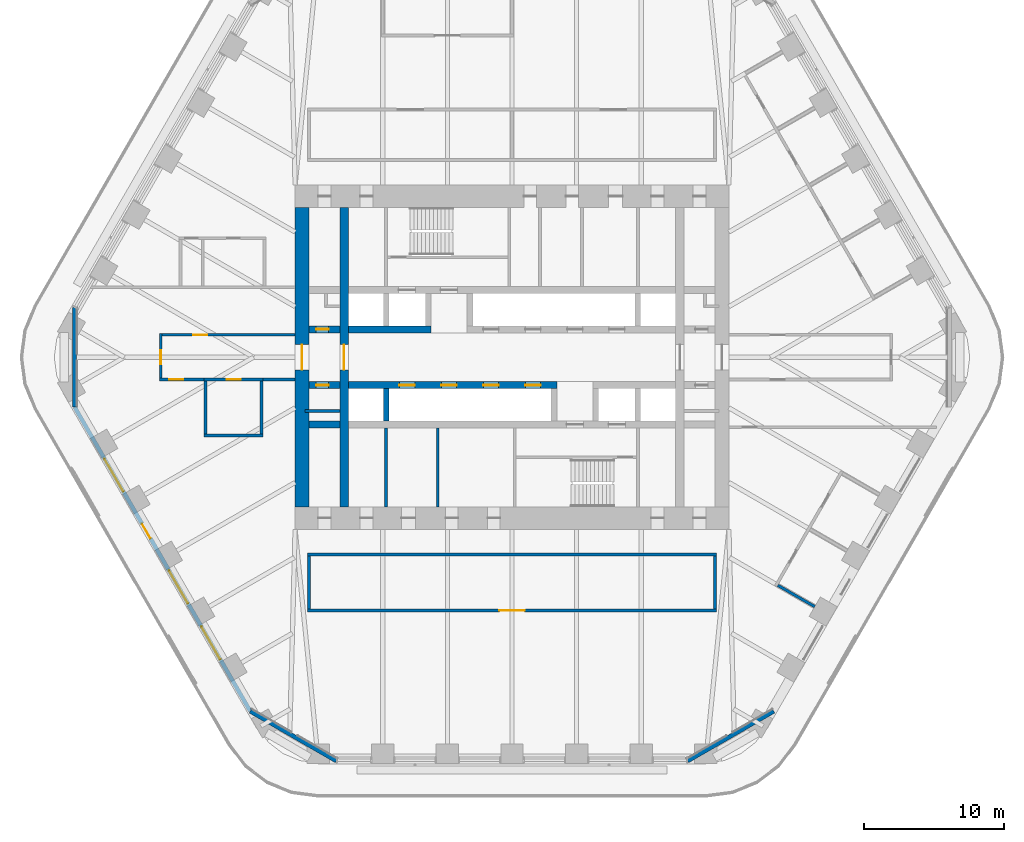
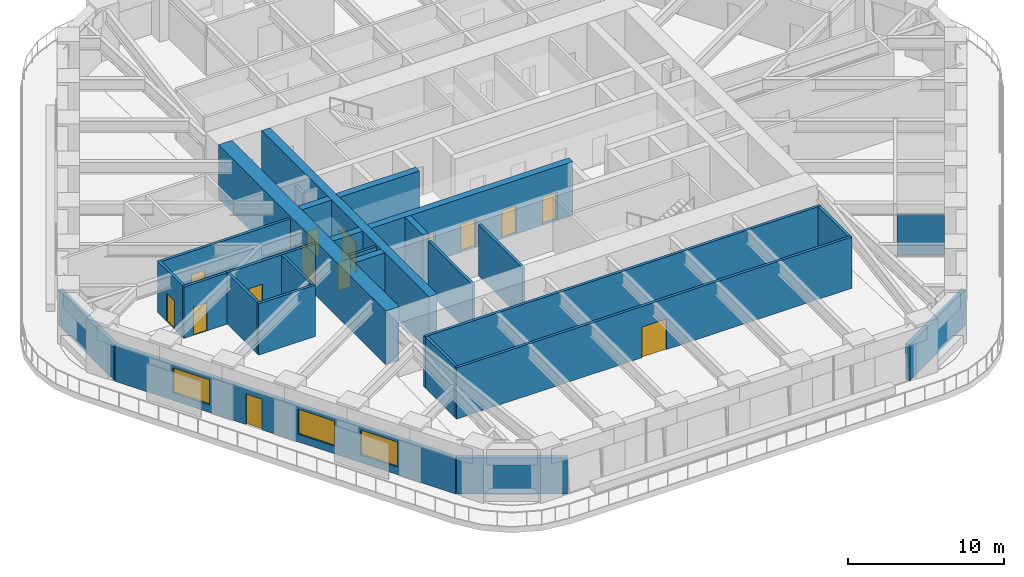
# One storey, part 14 of 20: 28 walls, 14 doors, 3 windows, 17 openings.
"""IFC4 building model written with IfcOpenShell, lengths in metres."""

from ifc_helpers import new_model, si_unit, direction, frame, frame_2d, origin, place, context, subcontext, project, spatial, rectangle, extrude, material, layer, layer_set, type_object, element, fill, save


model = new_model("IFC4")

# Units and contexts
model_context = context("Model", 3, precision=1e-05, world=origin(), true_north=direction((0.0, 1.0)))
body_context = subcontext(model_context, "Body", "Model", "MODEL_VIEW")
ifc_project = project(units=[si_unit("LENGTHUNIT", "METRE"), si_unit("AREAUNIT", "SQUARE_METRE"), si_unit("VOLUMEUNIT", "CUBIC_METRE"), si_unit("PLANEANGLEUNIT", "RADIAN"), si_unit("MASSUNIT", "GRAM", prefix="KILO")], contexts=[model_context])

# Site, building, storey
site_placement = place(None, origin())
site = spatial("IfcSite", under=ifc_project, at=site_placement, CompositionType="ELEMENT")
building_placement = place(site_placement, origin())
building = spatial("IfcBuilding", under=site, at=building_placement, Name="Tarfa Lantern Tower", CompositionType="ELEMENT")
storey_placement = place(building_placement, frame((0.0, 0.0, 232.300048828125)))
storey = spatial("IfcBuildingStorey", under=building, at=storey_placement, Name="L52", CompositionType="ELEMENT", Elevation=232.300048828125)

# Walls
ifc_material_1 = material(Name="Limestone cladding on blockwork", Category="masonry")
ifc_layer_1 = layer(ifc_material_1, 0.300048828125)
ifc_layer_set_1 = layer_set([ifc_layer_1], Name="EW1 STONE-CLAD WALL 300")
wall_type_1 = type_object("IfcWallType", Name="EW1 STONE-CLAD WALL 300", PredefinedType="SOLIDWALL", material=ifc_layer_set_1)
wall_1_placement = place(storey_placement, frame((-31.262939453125, 3.55078125, 0.0), z_axis=(0.0, 0.0, 1.0), x_axis=(0.0, -1.0, 0.0)))
element("IfcWall", 1, at=wall_1_placement, inside=storey, type_object=wall_type_1, Name="Garden wall NW-SW", PredefinedType="SOLIDWALL", context=body_context, shape_type="SweptSolid", body=[
    extrude(rectangle(XDim=7.1015625, YDim=0.300048828125, at=frame_2d((3.55078125, 0.0))), origin(), (0.0, 0.0, 1.0), 2.800048828125),
])
for number, where, z_axis, x_axis, name in (
    (2, (-18.70654296875, -25.299072265625, 0.0), (0.0, 0.0, 1.0), (0.866010973379, -0.500024993363, 0.0), "Garden wall SW-S"),
    (3, (12.556396484375, -28.85009765625, 0.0), (0.0, 0.0, 1.0), (0.866010973379, 0.500024993363, 0.0), "Garden wall S-SE"),
):
    element("IfcWall", number, at=place(storey_placement, frame(where, z_axis=z_axis, x_axis=x_axis)), inside=storey, type_object=wall_type_1, Name=name, PredefinedType="SOLIDWALL", context=body_context, shape_type="SweptSolid", body=[
        extrude(rectangle(XDim=7.101806640625, YDim=0.300048828125, at=frame_2d((3.55078125, 0.0))), origin(), (0.0, 0.0, 1.0), 2.800048828125),
    ])

# Wall, openings, door, windows
wall_2_placement = place(storey_placement, frame((-31.262939453125, -3.55078125, 0.0), z_axis=(0.0, 0.0, 1.0), x_axis=(0.500000442367, -0.866025148383, 0.0)))
wall_2 = element("IfcWall", 4, at=wall_2_placement, inside=storey, type_object=wall_type_1, Name="Stone wall SW", PredefinedType="SOLIDWALL", context=body_context, shape_type="SweptSolid", body=[
    extrude(rectangle(XDim=25.11279296875, YDim=0.300048828125, at=frame_2d((12.556396484375, 0.0))), origin(), (0.0, 0.0, 1.0), 2.800048828125),
])
opening_1_placement = place(wall_2_placement, frame((4.2783203125, 0.0, 0.60009765625)))
opening_1 = element("IfcOpeningElement", 5, at=opening_1_placement, cuts=wall_2, Name="Opening W14", PredefinedType="OPENING", context=body_context, shape_type="SweptSolid", body=[
    extrude(rectangle(XDim=2.699951171875, YDim=1.949951171875, at=frame_2d((1.35009765625, 0.97509765625))), frame((0.0, 0.159912109375, 0.0), z_axis=(0.0, -1.0, 0.0), x_axis=(1.0, 0.0, 0.0)), (0.0, 0.0, 1.0), 0.320068359375),
])
opening_2_placement = place(wall_2_placement, frame((9.64697265625, 0.0, 0.0)))
opening_2 = element("IfcOpeningElement", 6, at=opening_2_placement, cuts=wall_2, Name="Opening D49", PredefinedType="OPENING", context=body_context, shape_type="SweptSolid", body=[
    extrude(rectangle(XDim=1.199951171875, YDim=2.39990234375, at=frame_2d((0.60009765625, 1.199951171875))), frame((0.0, 0.159912109375, 0.0), z_axis=(0.0, -1.0, 0.0), x_axis=(1.0, 0.0, 0.0)), (0.0, 0.0, 1.0), 0.320068359375),
])
opening_3_placement = place(wall_2_placement, frame((13.515869140625, 0.0, 0.60009765625)))
opening_3 = element("IfcOpeningElement", 7, at=opening_3_placement, cuts=wall_2, Name="Opening W14", PredefinedType="OPENING", context=body_context, shape_type="SweptSolid", body=[
    extrude(rectangle(XDim=2.699951171875, YDim=1.949951171875, at=frame_2d((1.35009765625, 0.97509765625))), frame((0.0, 0.159912109375, 0.0), z_axis=(0.0, -1.0, 0.0), x_axis=(1.0, 0.0, 0.0)), (0.0, 0.0, 1.0), 0.320068359375),
])
opening_4_placement = place(wall_2_placement, frame((18.134521484375, 0.0, 0.60009765625)))
opening_4 = element("IfcOpeningElement", 8, at=opening_4_placement, cuts=wall_2, Name="Opening W14", PredefinedType="OPENING", context=body_context, shape_type="SweptSolid", body=[
    extrude(rectangle(XDim=2.699951171875, YDim=1.949951171875, at=frame_2d((1.35009765625, 0.97509765625))), frame((0.0, 0.159912109375, 0.0), z_axis=(0.0, -1.0, 0.0), x_axis=(1.0, 0.0, 0.0)), (0.0, 0.0, 1.0), 0.320068359375),
])
ifc_material_2 = material(Name="Aluminium framed glazed door", Category="aluminium")
door_type_1 = type_object("IfcDoorType", Name="BE3 BALCONY DOOR 1200x2400", OperationType="SINGLE_SWING_RIGHT", PredefinedType="DOOR", material=ifc_material_2)
door_1_placement = place(opening_2_placement, origin())
door_1 = element("IfcDoor", 9, at=door_1_placement, inside=storey, type_object=door_type_1, Name="Balcony door SW", OperationType="SINGLE_SWING_RIGHT", OverallHeight=2.39990234375, OverallWidth=1.199951171875, PredefinedType="DOOR", context=body_context, shape_type="SweptSolid", body=[
    extrude(rectangle(XDim=1.199951171875, YDim=2.39990234375, at=frame_2d((0.60009765625, 1.199951171875))), frame((0.0, 0.02490234375, 0.0), z_axis=(0.0, -1.0, 0.0), x_axis=(1.0, 0.0, 0.0)), (0.0, 0.0, 1.0), 0.050048828125),
])
fill(opening_2, door_1)
ifc_material_3 = material(Name="Aluminium frame, double glazed", Category="aluminium")
window_type = type_object("IfcWindowType", Name="W14 FULL-HEIGHT GLAZING 2700x1950", PartitioningType="SINGLE_PANEL", PredefinedType="WINDOW", material=ifc_material_3)
window_1_placement = place(opening_1_placement, origin())
window_1 = element("IfcWindow", 10, at=window_1_placement, inside=storey, type_object=window_type, Name="Window SW 2", OverallHeight=1.949951171875, OverallWidth=2.699951171875, PartitioningType="SINGLE_PANEL", PredefinedType="WINDOW", context=body_context, shape_type="SweptSolid", body=[
    extrude(rectangle(XDim=2.699951171875, YDim=1.949951171875, at=frame_2d((1.35009765625, 0.97509765625))), frame((0.0, 0.030029296875, 0.0), z_axis=(0.0, -1.0, 0.0), x_axis=(1.0, 0.0, 0.0)), (0.0, 0.0, 1.0), 0.06005859375),
])
fill(opening_1, window_1)
window_2_placement = place(opening_3_placement, origin())
window_2 = element("IfcWindow", 11, at=window_2_placement, inside=storey, type_object=window_type, Name="Window SW 4", OverallHeight=1.949951171875, OverallWidth=2.699951171875, PartitioningType="SINGLE_PANEL", PredefinedType="WINDOW", context=body_context, shape_type="SweptSolid", body=[
    extrude(rectangle(XDim=2.699951171875, YDim=1.949951171875, at=frame_2d((1.35009765625, 0.97509765625))), frame((0.0, 0.030029296875, 0.0), z_axis=(0.0, -1.0, 0.0), x_axis=(1.0, 0.0, 0.0)), (0.0, 0.0, 1.0), 0.06005859375),
])
fill(opening_3, window_2)
window_3_placement = place(opening_4_placement, origin())
window_3 = element("IfcWindow", 12, at=window_3_placement, inside=storey, type_object=window_type, Name="Window SW 5", OverallHeight=1.949951171875, OverallWidth=2.699951171875, PartitioningType="SINGLE_PANEL", PredefinedType="WINDOW", context=body_context, shape_type="SweptSolid", body=[
    extrude(rectangle(XDim=2.699951171875, YDim=1.949951171875, at=frame_2d((1.35009765625, 0.97509765625))), frame((0.0, 0.030029296875, 0.0), z_axis=(0.0, -1.0, 0.0), x_axis=(1.0, 0.0, 0.0)), (0.0, 0.0, 1.0), 0.06005859375),
])
fill(opening_4, window_3)

# Walls
ifc_material_4 = material(Name="Concrete blockwork", Category="masonry")
ifc_layer_2 = layer(ifc_material_4, 0.199951171875)
ifc_layer_set_2 = layer_set([ifc_layer_2], Name="IW1 BLOCKWORK PARTITION 200 EI 120")
wall_type_2 = type_object("IfcWallType", Name="IW1 BLOCKWORK PARTITION 200 EI 120", PredefinedType="PARTITIONING", material=ifc_layer_set_2)
for number, where, z_axis, x_axis, name in (
    (13, (-9.0, -5.050048828125, 0.0), (0.0, 0.0, 1.0), (0.0, -1.0, 0.0), "Core partition"),
    (14, (-5.300048828125, -5.050048828125, 0.0), (0.0, 0.0, 1.0), (0.0, -1.0, 0.0), "Core partition"),
):
    element("IfcWall", number, at=place(storey_placement, frame(where, z_axis=z_axis, x_axis=x_axis)), inside=storey, type_object=wall_type_2, Name=name, PredefinedType="PARTITIONING", context=body_context, shape_type="SweptSolid", body=[
        extrude(rectangle(XDim=5.64990234375, YDim=0.199951171875, at=frame_2d((2.824951171875, 0.0))), origin(), (0.0, 0.0, 1.0), 4.0),
    ])
wall_3_placement = place(storey_placement, frame((-12.300048828125, -3.85009765625, 0.0), z_axis=(0.0, 0.0, 1.0), x_axis=(-1.0, 0.0, 0.0)))
element("IfcWall", 15, at=wall_3_placement, inside=storey, type_object=wall_type_2, Name="Core partition", PredefinedType="PARTITIONING", context=body_context, shape_type="SweptSolid", body=[
    extrude(rectangle(XDim=2.5, YDim=0.199951171875, at=frame_2d((1.25, 0.0))), origin(), (0.0, 0.0, 1.0), 4.0),
])
ifc_material_5 = material(Name="Gypsum board on steel studs", Category="steel")
ifc_layer_3 = layer(ifc_material_5, 0.2099609375)
ifc_layer_set_3 = layer_set([ifc_layer_3], Name="IW2 ACOUSTIC PARTITION 200")
wall_type_3 = type_object("IfcWallType", Name="IW2 ACOUSTIC PARTITION 200", PredefinedType="PARTITIONING", material=ifc_layer_set_3)
wall_4_placement = place(storey_placement, frame((14.60009765625, -14.10009765625, 0.0), z_axis=(0.0, 0.0, 1.0), x_axis=(-1.0, 0.0, 0.0)))
element("IfcWall", 16, at=wall_4_placement, inside=storey, type_object=wall_type_3, Name="Partition", PredefinedType="PARTITIONING", context=body_context, shape_type="SweptSolid", body=[
    extrude(rectangle(XDim=29.2001953125, YDim=0.199951171875, at=frame_2d((14.60009765625, 0.0))), origin(), (0.0, 0.0, 1.0), 4.0),
])

# Wall, opening, door
wall_5_placement = place(storey_placement, frame((14.60009765625, -18.10009765625, 0.0), z_axis=(0.0, 0.0, 1.0), x_axis=(-1.0, 0.0, 0.0)))
wall_5 = element("IfcWall", 17, at=wall_5_placement, inside=storey, type_object=wall_type_3, Name="Partition", PredefinedType="PARTITIONING", context=body_context, shape_type="SweptSolid", body=[
    extrude(rectangle(XDim=29.2001953125, YDim=0.199951171875, at=frame_2d((14.60009765625, 0.0))), origin(), (0.0, 0.0, 1.0), 4.0),
])
opening_5_placement = place(wall_5_placement, frame((13.699951171875, 0.0, 0.0)))
opening_5 = element("IfcOpeningElement", 18, at=opening_5_placement, cuts=wall_5, Name="Opening D37", PredefinedType="OPENING", context=body_context, shape_type="SweptSolid", body=[
    extrude(rectangle(XDim=1.800048828125, YDim=2.39990234375, at=frame_2d((0.89990234375, 1.199951171875))), frame((0.0, 0.10986328125, 0.0), z_axis=(0.0, -1.0, 0.0), x_axis=(1.0, 0.0, 0.0)), (0.0, 0.0, 1.0), 0.219970703125),
])
ifc_material_6 = material(Name="Timber door", Category="wood")
door_type_2 = type_object("IfcDoorType", Name="DR2 ROOM DOOR 1800x2400", OperationType="DOUBLE_DOOR_SINGLE_SWING", PredefinedType="DOOR", material=ifc_material_6)
door_2_placement = place(opening_5_placement, frame((1.800048828125, 0.0, 0.0), z_axis=(0.0, 0.0, 1.0), x_axis=(-1.0, 0.0, 0.0)))
door_2 = element("IfcDoor", 19, at=door_2_placement, inside=storey, type_object=door_type_2, Name="File room door", OperationType="DOUBLE_DOOR_SINGLE_SWING", OverallHeight=2.39990234375, OverallWidth=1.800048828125, PredefinedType="DOOR", context=body_context, shape_type="SweptSolid", body=[
    extrude(rectangle(XDim=1.800048828125, YDim=2.39990234375, at=frame_2d((0.89990234375, 1.199951171875))), frame((0.0, 0.02490234375, 0.0), z_axis=(0.0, -1.0, 0.0), x_axis=(1.0, 0.0, 0.0)), (0.0, 0.0, 1.0), 0.050048828125),
])
fill(opening_5, door_2)

# Walls
for number, where, z_axis, x_axis, name in (
    (20, (14.5, -14.199951171875, 0.0), (0.0, 0.0, 1.0), (0.0, -1.0, 0.0), "Partition"),
    (21, (-14.5, -14.199951171875, 0.0), (0.0, 0.0, 1.0), (0.0, -1.0, 0.0), "Partition"),
):
    element("IfcWall", number, at=place(storey_placement, frame(where, z_axis=z_axis, x_axis=x_axis)), inside=storey, type_object=wall_type_3, Name=name, PredefinedType="PARTITIONING", context=body_context, shape_type="SweptSolid", body=[
        extrude(rectangle(XDim=3.800048828125, YDim=0.199951171875, at=frame_2d((1.89990234375, 0.0))), origin(), (0.0, 0.0, 1.0), 4.0),
    ])
wall_6_placement = place(storey_placement, frame((18.994873046875, -16.300048828125, 0.0), z_axis=(0.0, 0.0, 1.0), x_axis=(0.866037623948, -0.499978833458, 0.0)))
element("IfcWall", 22, at=wall_6_placement, inside=storey, type_object=wall_type_3, Name="Partition", PredefinedType="PARTITIONING", context=body_context, shape_type="SweptSolid", body=[
    extrude(rectangle(XDim=3.050048828125, YDim=0.199951171875, at=frame_2d((1.52490234375, 0.0))), origin(), (0.0, 0.0, 1.0), 3.08154296875),
])

# Wall, opening, door
wall_7_placement = place(storey_placement, frame((-17.800048828125, -1.60009765625, 0.0), z_axis=(0.0, 0.0, 1.0), x_axis=(-1.0, 0.0, 0.0)))
wall_7 = element("IfcWall", 23, at=wall_7_placement, inside=storey, type_object=wall_type_3, Name="Partition", PredefinedType="PARTITIONING", context=body_context, shape_type="SweptSolid", body=[
    extrude(rectangle(XDim=4.199951171875, YDim=0.199951171875, at=frame_2d((2.10009765625, 0.0))), origin(), (0.0, 0.0, 1.0), 4.0),
])
opening_6_placement = place(wall_7_placement, frame((1.60009765625, 0.0, 0.0)))
opening_6 = element("IfcOpeningElement", 24, at=opening_6_placement, cuts=wall_7, Name="Opening D34", PredefinedType="OPENING", context=body_context, shape_type="SweptSolid", body=[
    extrude(rectangle(XDim=1.0, YDim=2.199951171875, at=frame_2d((0.5, 1.10009765625))), frame((0.0, 0.10986328125, 0.0), z_axis=(0.0, -1.0, 0.0), x_axis=(1.0, 0.0, 0.0)), (0.0, 0.0, 1.0), 0.219970703125),
])
door_type_3 = type_object("IfcDoorType", Name="DR1 ROOM DOOR 1000x2200", OperationType="SINGLE_SWING_LEFT", PredefinedType="DOOR", material=ifc_material_6)
door_3_placement = place(opening_6_placement, origin())
door_3 = element("IfcDoor", 25, at=door_3_placement, inside=storey, type_object=door_type_3, Name="Pantry door", OperationType="SINGLE_SWING_LEFT", OverallHeight=2.199951171875, OverallWidth=1.0, PredefinedType="DOOR", context=body_context, shape_type="SweptSolid", body=[
    extrude(rectangle(XDim=1.0, YDim=2.199951171875, at=frame_2d((0.5, 1.10009765625))), frame((0.0, 0.02490234375, 0.0), z_axis=(0.0, -1.0, 0.0), x_axis=(1.0, 0.0, 0.0)), (0.0, 0.0, 1.0), 0.050048828125),
])
fill(opening_6, door_3)

# Walls
wall_8_placement = place(storey_placement, frame((-17.800048828125, -5.60009765625, 0.0), z_axis=(0.0, 0.0, 1.0), x_axis=(-1.0, 0.0, 0.0)))
element("IfcWall", 26, at=wall_8_placement, inside=storey, type_object=wall_type_3, Name="Partition", PredefinedType="PARTITIONING", context=body_context, shape_type="SweptSolid", body=[
    extrude(rectangle(XDim=4.199951171875, YDim=0.199951171875, at=frame_2d((2.10009765625, 0.0))), origin(), (0.0, 0.0, 1.0), 4.0),
])
for number, where, z_axis, x_axis, name in (
    (27, (-17.89990234375, -1.699951171875, 0.0), (0.0, 0.0, 1.0), (0.0, -1.0, 0.0), "Partition"),
    (28, (-21.89990234375, -1.699951171875, 0.0), (0.0, 0.0, 1.0), (0.0, -1.0, 0.0), "Partition"),
):
    element("IfcWall", number, at=place(storey_placement, frame(where, z_axis=z_axis, x_axis=x_axis)), inside=storey, type_object=wall_type_3, Name=name, PredefinedType="PARTITIONING", context=body_context, shape_type="SweptSolid", body=[
        extrude(rectangle(XDim=3.800048828125, YDim=0.199951171875, at=frame_2d((1.89990234375, 0.0))), origin(), (0.0, 0.0, 1.0), 4.0),
    ])

# Wall, opening, door
wall_9_placement = place(storey_placement, frame((-15.5, 1.60009765625, 0.0), z_axis=(0.0, 0.0, 1.0), x_axis=(-1.0, 0.0, 0.0)))
wall_9 = element("IfcWall", 29, at=wall_9_placement, inside=storey, type_object=wall_type_3, Name="Partition", PredefinedType="PARTITIONING", context=body_context, shape_type="SweptSolid", body=[
    extrude(rectangle(XDim=9.699951171875, YDim=0.199951171875, at=frame_2d((4.85009765625, 0.0))), origin(), (0.0, 0.0, 1.0), 4.0),
])
opening_7_placement = place(wall_9_placement, frame((6.2900390625, 0.0, 0.0)))
opening_7 = element("IfcOpeningElement", 30, at=opening_7_placement, cuts=wall_9, Name="Opening D44", PredefinedType="OPENING", context=body_context, shape_type="SweptSolid", body=[
    extrude(rectangle(XDim=1.0, YDim=2.199951171875, at=frame_2d((0.5, 1.10009765625))), frame((0.0, 0.10986328125, 0.0), z_axis=(0.0, -1.0, 0.0), x_axis=(1.0, 0.0, 0.0)), (0.0, 0.0, 1.0), 0.219970703125),
])
door_4_placement = place(opening_7_placement, frame((1.0, 0.0, 0.0), z_axis=(0.0, 0.0, 1.0), x_axis=(-1.0, 0.0, 0.0)))
door_4 = element("IfcDoor", 31, at=door_4_placement, inside=storey, type_object=door_type_3, Name="Corridor door", OperationType="SINGLE_SWING_RIGHT", OverallHeight=2.199951171875, OverallWidth=1.0, PredefinedType="DOOR", context=body_context, shape_type="SweptSolid", body=[
    extrude(rectangle(XDim=1.0, YDim=2.199951171875, at=frame_2d((0.5, 1.10009765625))), frame((0.0, 0.02490234375, 0.0), z_axis=(0.0, -1.0, 0.0), x_axis=(1.0, 0.0, 0.0)), (0.0, 0.0, 1.0), 0.050048828125),
])
fill(opening_7, door_4)

wall_10_placement = place(storey_placement, frame((-22.0, -1.60009765625, 0.0), z_axis=(0.0, 0.0, 1.0), x_axis=(-1.0, 0.0, 0.0)))
wall_10 = element("IfcWall", 32, at=wall_10_placement, inside=storey, type_object=wall_type_3, Name="Partition", PredefinedType="PARTITIONING", context=body_context, shape_type="SweptSolid", body=[
    extrude(rectangle(XDim=3.199951171875, YDim=0.199951171875, at=frame_2d((1.60009765625, 0.0))), origin(), (0.0, 0.0, 1.0), 4.0),
])
opening_8_placement = place(wall_10_placement, frame((1.5, 0.0, 0.0)))
opening_8 = element("IfcOpeningElement", 33, at=opening_8_placement, cuts=wall_10, Name="Opening D45", PredefinedType="OPENING", context=body_context, shape_type="SweptSolid", body=[
    extrude(rectangle(XDim=1.0, YDim=2.199951171875, at=frame_2d((0.5, 1.10009765625))), frame((0.0, 0.10986328125, 0.0), z_axis=(0.0, -1.0, 0.0), x_axis=(1.0, 0.0, 0.0)), (0.0, 0.0, 1.0), 0.219970703125),
])
door_5_placement = place(opening_8_placement, origin())
door_5 = element("IfcDoor", 34, at=door_5_placement, inside=storey, type_object=door_type_3, Name="Corridor door", OperationType="SINGLE_SWING_RIGHT", OverallHeight=2.199951171875, OverallWidth=1.0, PredefinedType="DOOR", context=body_context, shape_type="SweptSolid", body=[
    extrude(rectangle(XDim=1.0, YDim=2.199951171875, at=frame_2d((0.5, 1.10009765625))), frame((0.0, 0.02490234375, 0.0), z_axis=(0.0, -1.0, 0.0), x_axis=(1.0, 0.0, 0.0)), (0.0, 0.0, 1.0), 0.050048828125),
])
fill(opening_8, door_5)

# Wall
wall_11_placement = place(storey_placement, frame((-15.5, -1.60009765625, 0.0), z_axis=(0.0, 0.0, 1.0), x_axis=(-1.0, 0.0, 0.0)))
element("IfcWall", 35, at=wall_11_placement, inside=storey, type_object=wall_type_3, Name="Partition", PredefinedType="PARTITIONING", context=body_context, shape_type="SweptSolid", body=[
    extrude(rectangle(XDim=2.300048828125, YDim=0.199951171875, at=frame_2d((1.14990234375, 0.0))), origin(), (0.0, 0.0, 1.0), 4.0),
])

# Wall, opening, door
wall_12_placement = place(storey_placement, frame((-25.10009765625, -1.699951171875, 0.0), z_axis=(0.0, 0.0, 1.0), x_axis=(0.0, 1.0, 0.0)))
wall_12 = element("IfcWall", 36, at=wall_12_placement, inside=storey, type_object=wall_type_3, Name="Partition", PredefinedType="PARTITIONING", context=body_context, shape_type="SweptSolid", body=[
    extrude(rectangle(XDim=3.39990234375, YDim=0.199951171875, at=frame_2d((1.699951171875, 0.0))), origin(), (0.0, 0.0, 1.0), 4.0),
])
opening_9_placement = place(wall_12_placement, frame((1.199951171875, 0.0, 0.0)))
opening_9 = element("IfcOpeningElement", 37, at=opening_9_placement, cuts=wall_12, Name="Opening D43", PredefinedType="OPENING", context=body_context, shape_type="SweptSolid", body=[
    extrude(rectangle(XDim=1.0, YDim=2.199951171875, at=frame_2d((0.5, 1.10009765625))), frame((0.0, 0.10986328125, 0.0), z_axis=(0.0, -1.0, 0.0), x_axis=(1.0, 0.0, 0.0)), (0.0, 0.0, 1.0), 0.219970703125),
])
door_6_placement = place(opening_9_placement, origin())
door_6 = element("IfcDoor", 38, at=door_6_placement, inside=storey, type_object=door_type_3, Name="Corridor door", OperationType="SINGLE_SWING_RIGHT", OverallHeight=2.199951171875, OverallWidth=1.0, PredefinedType="DOOR", context=body_context, shape_type="SweptSolid", body=[
    extrude(rectangle(XDim=1.0, YDim=2.199951171875, at=frame_2d((0.5, 1.10009765625))), frame((0.0, 0.02490234375, 0.0), z_axis=(0.0, -1.0, 0.0), x_axis=(1.0, 0.0, 0.0)), (0.0, 0.0, 1.0), 0.050048828125),
])
fill(opening_9, door_6)

ifc_material_7 = material(Name="Concrete C80/95", Category="concrete")
ifc_layer_4 = layer(ifc_material_7, 1.0)
ifc_layer_set_4 = layer_set([ifc_layer_4], Name="SW2 CORE WALL 1000")
wall_type_4 = type_object("IfcWallType", Name="SW2 CORE WALL 1000", PredefinedType="SHEAR", material=ifc_layer_set_4)
wall_13_placement = place(storey_placement, frame((-15.0, 10.699951171875, 0.0), z_axis=(0.0, 0.0, 1.0), x_axis=(0.0, -1.0, 0.0)))
wall_13 = element("IfcWall", 39, at=wall_13_placement, inside=storey, type_object=wall_type_4, Name="Core wall W", PredefinedType="SHEAR", context=body_context, shape_type="SweptSolid", body=[
    extrude(rectangle(XDim=21.39990234375, YDim=1.0, at=frame_2d((10.699951171875, 0.0))), origin(), (0.0, 0.0, 1.0), 4.199951171875),
])
opening_10_placement = place(wall_13_placement, frame((9.800048828125, 0.0, 0.0)))
opening_10 = element("IfcOpeningElement", 40, at=opening_10_placement, cuts=wall_13, Name="Opening D12", PredefinedType="OPENING", context=body_context, shape_type="SweptSolid", body=[
    extrude(rectangle(XDim=1.800048828125, YDim=2.39990234375, at=frame_2d((0.89990234375, 1.199951171875))), frame((0.0, 0.510009765625, 0.0), z_axis=(0.0, -1.0, 0.0), x_axis=(1.0, 0.0, 0.0)), (0.0, 0.0, 1.0), 1.02001953125),
])
ifc_material_8 = material(Name="Steel fire door", Category="steel")
door_type_4 = type_object("IfcDoorType", Name="DL1 LOBBY DOOR 1800x2400", OperationType="DOUBLE_DOOR_SINGLE_SWING", PredefinedType="DOOR", material=ifc_material_8)
door_7_placement = place(opening_10_placement, frame((1.800048828125, 0.0, 0.0), z_axis=(0.0, 0.0, 1.0), x_axis=(-1.0, 0.0, 0.0)))
door_7 = element("IfcDoor", 41, at=door_7_placement, inside=storey, type_object=door_type_4, Name="Lift lobby door", OperationType="DOUBLE_DOOR_SINGLE_SWING", OverallHeight=2.39990234375, OverallWidth=1.800048828125, PredefinedType="DOOR", context=body_context, shape_type="SweptSolid", body=[
    extrude(rectangle(XDim=1.800048828125, YDim=2.39990234375, at=frame_2d((0.89990234375, 1.199951171875))), frame((0.0, 0.02490234375, 0.0), z_axis=(0.0, -1.0, 0.0), x_axis=(1.0, 0.0, 0.0)), (0.0, 0.0, 1.0), 0.050048828125),
])
fill(opening_10, door_7)

ifc_layer_5 = layer(ifc_material_7, 0.5)
ifc_layer_set_5 = layer_set([ifc_layer_5], Name="SW5 CORE WALL 500")
wall_type_5 = type_object("IfcWallType", Name="SW5 CORE WALL 500", PredefinedType="SHEAR", material=ifc_layer_set_5)
wall_14_placement = place(storey_placement, frame((-14.5, 2.0, 0.0), z_axis=(0.0, 0.0, 1.0), x_axis=(1.0, 0.0, 0.0)))
wall_14 = element("IfcWall", 42, at=wall_14_placement, inside=storey, type_object=wall_type_5, Name="Core wall lobby west N", PredefinedType="SHEAR", context=body_context, shape_type="SweptSolid", body=[
    extrude(rectangle(XDim=2.199951171875, YDim=0.5, at=frame_2d((1.10009765625, 0.0))), origin(), (0.0, 0.0, 1.0), 4.199951171875),
])
opening_11_placement = place(wall_14_placement, frame((0.5, 0.0, 0.0)))
opening_11 = element("IfcOpeningElement", 43, at=opening_11_placement, cuts=wall_14, Name="Opening D15", PredefinedType="OPENING", context=body_context, shape_type="SweptSolid", body=[
    extrude(rectangle(XDim=0.89990234375, YDim=2.199951171875, at=frame_2d((0.449951171875, 1.10009765625))), frame((0.0, 0.260009765625, 0.0), z_axis=(0.0, -1.0, 0.0), x_axis=(1.0, 0.0, 0.0)), (0.0, 0.0, 1.0), 0.52001953125),
])
door_type_5 = type_object("IfcDoorType", Name="DF6 SERVICE ROOM DOOR 900x2200", OperationType="SINGLE_SWING_LEFT", PredefinedType="DOOR", material=ifc_material_8)
door_8_placement = place(opening_11_placement, origin())
door_8 = element("IfcDoor", 44, at=door_8_placement, inside=storey, type_object=door_type_5, Name="Service room door", OperationType="SINGLE_SWING_RIGHT", OverallHeight=2.199951171875, OverallWidth=0.89990234375, PredefinedType="DOOR", context=body_context, shape_type="SweptSolid", body=[
    extrude(rectangle(XDim=0.89990234375, YDim=2.199951171875, at=frame_2d((0.449951171875, 1.10009765625))), frame((0.0, 0.02490234375, 0.0), z_axis=(0.0, -1.0, 0.0), x_axis=(1.0, 0.0, 0.0)), (0.0, 0.0, 1.0), 0.050048828125),
])
fill(opening_11, door_8)

# Wall
wall_15_placement = place(storey_placement, frame((-11.699951171875, 2.0, 0.0), z_axis=(0.0, 0.0, 1.0), x_axis=(1.0, 0.0, 0.0)))
element("IfcWall", 45, at=wall_15_placement, inside=storey, type_object=wall_type_5, Name="Core wall lobby west N", PredefinedType="SHEAR", context=body_context, shape_type="SweptSolid", body=[
    extrude(rectangle(XDim=5.89990234375, YDim=0.5, at=frame_2d((2.949951171875, 0.0))), origin(), (0.0, 0.0, 1.0), 4.199951171875),
])

# Wall, openings, doors
wall_16_placement = place(storey_placement, frame((3.199951171875, -2.0, 0.0), z_axis=(0.0, 0.0, 1.0), x_axis=(-1.0, 0.0, 0.0)))
wall_16 = element("IfcWall", 46, at=wall_16_placement, inside=storey, type_object=wall_type_5, Name="Core wall lobby east S", PredefinedType="SHEAR", context=body_context, shape_type="SweptSolid", body=[
    extrude(rectangle(XDim=14.89990234375, YDim=0.5, at=frame_2d((7.449951171875, 0.0))), origin(), (0.0, 0.0, 1.0), 4.199951171875),
])
opening_12_placement = place(wall_16_placement, frame((1.14990234375, 0.0, 0.0)))
opening_12 = element("IfcOpeningElement", 47, at=opening_12_placement, cuts=wall_16, Name="Opening LD07", PredefinedType="OPENING", context=body_context, shape_type="SweptSolid", body=[
    extrude(rectangle(XDim=1.10009765625, YDim=2.199951171875, at=frame_2d((0.550048828125, 1.10009765625))), frame((0.0, 0.260009765625, 0.0), z_axis=(0.0, -1.0, 0.0), x_axis=(1.0, 0.0, 0.0)), (0.0, 0.0, 1.0), 0.52001953125),
])
opening_13_placement = place(wall_16_placement, frame((4.14990234375, 0.0, 0.0)))
opening_13 = element("IfcOpeningElement", 48, at=opening_13_placement, cuts=wall_16, Name="Opening LD08", PredefinedType="OPENING", context=body_context, shape_type="SweptSolid", body=[
    extrude(rectangle(XDim=1.10009765625, YDim=2.199951171875, at=frame_2d((0.550048828125, 1.10009765625))), frame((0.0, 0.260009765625, 0.0), z_axis=(0.0, -1.0, 0.0), x_axis=(1.0, 0.0, 0.0)), (0.0, 0.0, 1.0), 0.52001953125),
])
opening_14_placement = place(wall_16_placement, frame((7.14990234375, 0.0, 0.0)))
opening_14 = element("IfcOpeningElement", 49, at=opening_14_placement, cuts=wall_16, Name="Opening LD09", PredefinedType="OPENING", context=body_context, shape_type="SweptSolid", body=[
    extrude(rectangle(XDim=1.10009765625, YDim=2.199951171875, at=frame_2d((0.550048828125, 1.10009765625))), frame((0.0, 0.260009765625, 0.0), z_axis=(0.0, -1.0, 0.0), x_axis=(1.0, 0.0, 0.0)), (0.0, 0.0, 1.0), 0.52001953125),
])
opening_15_placement = place(wall_16_placement, frame((10.14990234375, 0.0, 0.0)))
opening_15 = element("IfcOpeningElement", 50, at=opening_15_placement, cuts=wall_16, Name="Opening LD10", PredefinedType="OPENING", context=body_context, shape_type="SweptSolid", body=[
    extrude(rectangle(XDim=1.10009765625, YDim=2.199951171875, at=frame_2d((0.550048828125, 1.10009765625))), frame((0.0, 0.260009765625, 0.0), z_axis=(0.0, -1.0, 0.0), x_axis=(1.0, 0.0, 0.0)), (0.0, 0.0, 1.0), 0.52001953125),
])
ifc_material_9 = material(Name="Stainless steel lift door", Category="steel")
door_type_6 = type_object("IfcDoorType", Name="LD2 LIFT LANDING DOOR 1100x2200", OperationType="SLIDING_TO_LEFT", PredefinedType="DOOR", material=ifc_material_9)
door_9_placement = place(opening_12_placement, frame((1.10009765625, 0.0, 0.0), z_axis=(0.0, 0.0, 1.0), x_axis=(-1.0, 0.0, 0.0)))
door_9 = element("IfcDoor", 51, at=door_9_placement, inside=storey, type_object=door_type_6, Name="Landing door PC5", OperationType="SLIDING_TO_LEFT", OverallHeight=2.199951171875, OverallWidth=1.10009765625, PredefinedType="DOOR", context=body_context, shape_type="SweptSolid", body=[
    extrude(rectangle(XDim=1.10009765625, YDim=2.199951171875, at=frame_2d((0.550048828125, 1.10009765625))), frame((0.0, 0.02490234375, 0.0), z_axis=(0.0, -1.0, 0.0), x_axis=(1.0, 0.0, 0.0)), (0.0, 0.0, 1.0), 0.050048828125),
])
fill(opening_12, door_9)
door_10_placement = place(opening_13_placement, frame((1.10009765625, 0.0, 0.0), z_axis=(0.0, 0.0, 1.0), x_axis=(-1.0, 0.0, 0.0)))
door_10 = element("IfcDoor", 52, at=door_10_placement, inside=storey, type_object=door_type_6, Name="Landing door PC6", OperationType="SLIDING_TO_LEFT", OverallHeight=2.199951171875, OverallWidth=1.10009765625, PredefinedType="DOOR", context=body_context, shape_type="SweptSolid", body=[
    extrude(rectangle(XDim=1.10009765625, YDim=2.199951171875, at=frame_2d((0.550048828125, 1.10009765625))), frame((0.0, 0.02490234375, 0.0), z_axis=(0.0, -1.0, 0.0), x_axis=(1.0, 0.0, 0.0)), (0.0, 0.0, 1.0), 0.050048828125),
])
fill(opening_13, door_10)
door_11_placement = place(opening_14_placement, frame((1.10009765625, 0.0, 0.0), z_axis=(0.0, 0.0, 1.0), x_axis=(-1.0, 0.0, 0.0)))
door_11 = element("IfcDoor", 53, at=door_11_placement, inside=storey, type_object=door_type_6, Name="Landing door PC7", OperationType="SLIDING_TO_LEFT", OverallHeight=2.199951171875, OverallWidth=1.10009765625, PredefinedType="DOOR", context=body_context, shape_type="SweptSolid", body=[
    extrude(rectangle(XDim=1.10009765625, YDim=2.199951171875, at=frame_2d((0.550048828125, 1.10009765625))), frame((0.0, 0.02490234375, 0.0), z_axis=(0.0, -1.0, 0.0), x_axis=(1.0, 0.0, 0.0)), (0.0, 0.0, 1.0), 0.050048828125),
])
fill(opening_14, door_11)
door_12_placement = place(opening_15_placement, frame((1.10009765625, 0.0, 0.0), z_axis=(0.0, 0.0, 1.0), x_axis=(-1.0, 0.0, 0.0)))
door_12 = element("IfcDoor", 54, at=door_12_placement, inside=storey, type_object=door_type_6, Name="Landing door PC8", OperationType="SLIDING_TO_LEFT", OverallHeight=2.199951171875, OverallWidth=1.10009765625, PredefinedType="DOOR", context=body_context, shape_type="SweptSolid", body=[
    extrude(rectangle(XDim=1.10009765625, YDim=2.199951171875, at=frame_2d((0.550048828125, 1.10009765625))), frame((0.0, 0.02490234375, 0.0), z_axis=(0.0, -1.0, 0.0), x_axis=(1.0, 0.0, 0.0)), (0.0, 0.0, 1.0), 0.050048828125),
])
fill(opening_15, door_12)

# Wall, opening, door
wall_17_placement = place(storey_placement, frame((-12.300048828125, -2.0, 0.0), z_axis=(0.0, 0.0, 1.0), x_axis=(-1.0, 0.0, 0.0)))
wall_17 = element("IfcWall", 55, at=wall_17_placement, inside=storey, type_object=wall_type_5, Name="Core wall lobby east S", PredefinedType="SHEAR", context=body_context, shape_type="SweptSolid", body=[
    extrude(rectangle(XDim=2.199951171875, YDim=0.5, at=frame_2d((1.10009765625, 0.0))), origin(), (0.0, 0.0, 1.0), 4.199951171875),
])
opening_16_placement = place(wall_17_placement, frame((0.800048828125, 0.0, 0.0)))
opening_16 = element("IfcOpeningElement", 56, at=opening_16_placement, cuts=wall_17, Name="Opening D14", PredefinedType="OPENING", context=body_context, shape_type="SweptSolid", body=[
    extrude(rectangle(XDim=0.89990234375, YDim=2.199951171875, at=frame_2d((0.449951171875, 1.10009765625))), frame((0.0, 0.260009765625, 0.0), z_axis=(0.0, -1.0, 0.0), x_axis=(1.0, 0.0, 0.0)), (0.0, 0.0, 1.0), 0.52001953125),
])
door_13_placement = place(opening_16_placement, origin())
door_13 = element("IfcDoor", 57, at=door_13_placement, inside=storey, type_object=door_type_5, Name="Service room door", OperationType="SINGLE_SWING_LEFT", OverallHeight=2.199951171875, OverallWidth=0.89990234375, PredefinedType="DOOR", context=body_context, shape_type="SweptSolid", body=[
    extrude(rectangle(XDim=0.89990234375, YDim=2.199951171875, at=frame_2d((0.449951171875, 1.10009765625))), frame((0.0, 0.02490234375, 0.0), z_axis=(0.0, -1.0, 0.0), x_axis=(1.0, 0.0, 0.0)), (0.0, 0.0, 1.0), 0.050048828125),
])
fill(opening_16, door_13)

# Walls
wall_18_placement = place(storey_placement, frame((-12.300048828125, -4.800048828125, 0.0), z_axis=(0.0, 0.0, 1.0), x_axis=(-1.0, 0.0, 0.0)))
element("IfcWall", 58, at=wall_18_placement, inside=storey, type_object=wall_type_5, Name="Core wall rear S", PredefinedType="SHEAR", context=body_context, shape_type="SweptSolid", body=[
    extrude(rectangle(XDim=2.199951171875, YDim=0.5, at=frame_2d((1.10009765625, 0.0))), origin(), (0.0, 0.0, 1.0), 4.199951171875),
])
ifc_layer_6 = layer(ifc_material_7, 0.39990234375)
ifc_layer_set_6 = layer_set([ifc_layer_6], Name="SW6 CORE WALL 400")
wall_type_6 = type_object("IfcWallType", Name="SW6 CORE WALL 400", PredefinedType="SHEAR", material=ifc_layer_set_6)
wall_19_placement = place(storey_placement, frame((-9.0, -2.25, 0.0), z_axis=(0.0, 0.0, 1.0), x_axis=(0.0, -1.0, 0.0)))
element("IfcWall", 59, at=wall_19_placement, inside=storey, type_object=wall_type_6, Name="Core wall divider S", PredefinedType="SHEAR", context=body_context, shape_type="SweptSolid", body=[
    extrude(rectangle(XDim=2.300048828125, YDim=0.39990234375, at=frame_2d((1.14990234375, 0.0))), origin(), (0.0, 0.0, 1.0), 4.199951171875),
])

# Wall, opening, door
ifc_layer_7 = layer(ifc_material_7, 0.60009765625)
ifc_layer_set_7 = layer_set([ifc_layer_7], Name="SW9 CORE WALL 600")
wall_type_7 = type_object("IfcWallType", Name="SW9 CORE WALL 600", PredefinedType="SHEAR", material=ifc_layer_set_7)
wall_20_placement = place(storey_placement, frame((-12.0, -10.699951171875, 0.0), z_axis=(0.0, 0.0, 1.0), x_axis=(0.0, 1.0, 0.0)))
wall_20 = element("IfcWall", 60, at=wall_20_placement, inside=storey, type_object=wall_type_7, Name="Core wall cross 12 m west", PredefinedType="SHEAR", context=body_context, shape_type="SweptSolid", body=[
    extrude(rectangle(XDim=21.39990234375, YDim=0.60009765625, at=frame_2d((10.699951171875, 0.0))), origin(), (0.0, 0.0, 1.0), 4.199951171875),
])
opening_17_placement = place(wall_20_placement, frame((9.800048828125, 0.0, 0.0)))
opening_17 = element("IfcOpeningElement", 61, at=opening_17_placement, cuts=wall_20, Name="Opening D26", PredefinedType="OPENING", context=body_context, shape_type="SweptSolid", body=[
    extrude(rectangle(XDim=1.800048828125, YDim=2.39990234375, at=frame_2d((0.89990234375, 1.199951171875))), frame((0.0, 0.31005859375, 0.0), z_axis=(0.0, -1.0, 0.0), x_axis=(1.0, 0.0, 0.0)), (0.0, 0.0, 1.0), 0.6201171875),
])
door_14_placement = place(opening_17_placement, origin())
door_14 = element("IfcDoor", 62, at=door_14_placement, inside=storey, type_object=door_type_4, Name="Lift lobby door", OperationType="DOUBLE_DOOR_SINGLE_SWING", OverallHeight=2.39990234375, OverallWidth=1.800048828125, PredefinedType="DOOR", context=body_context, shape_type="SweptSolid", body=[
    extrude(rectangle(XDim=1.800048828125, YDim=2.39990234375, at=frame_2d((0.89990234375, 1.199951171875))), frame((0.0, 0.02490234375, 0.0), z_axis=(0.0, -1.0, 0.0), x_axis=(1.0, 0.0, 0.0)), (0.0, 0.0, 1.0), 0.050048828125),
])
fill(opening_17, door_14)

save(model, "model.ifc")
